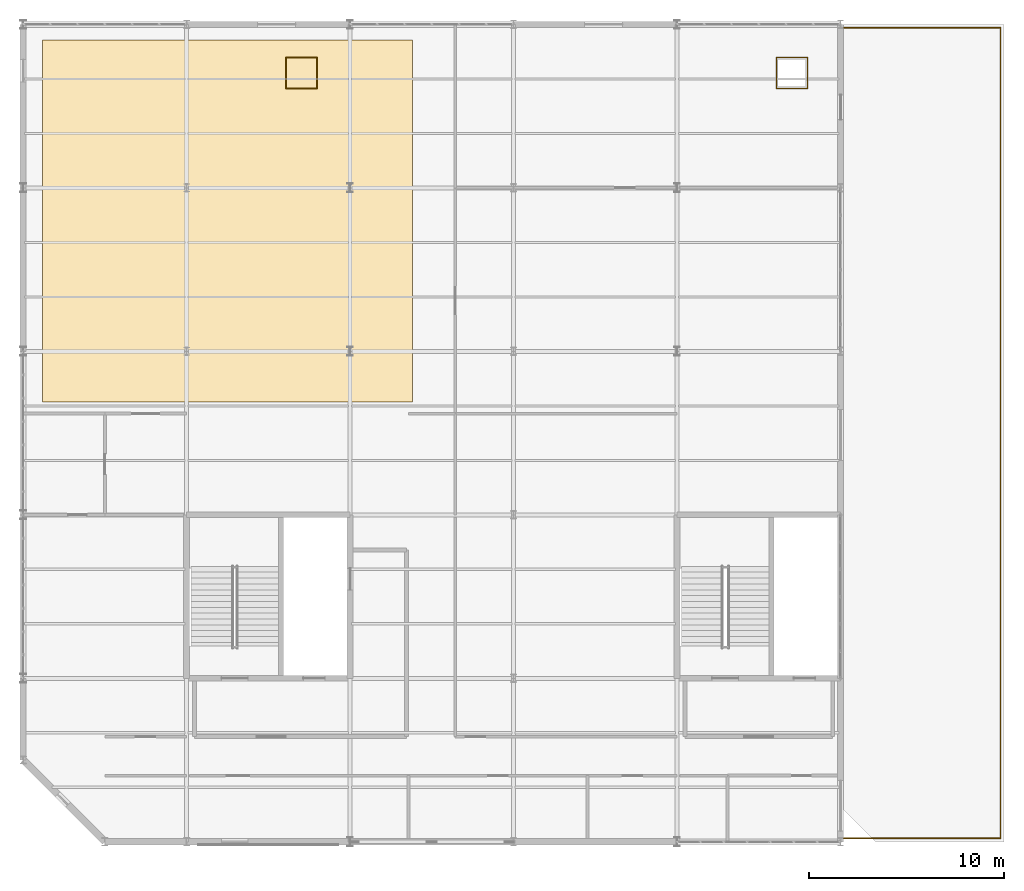
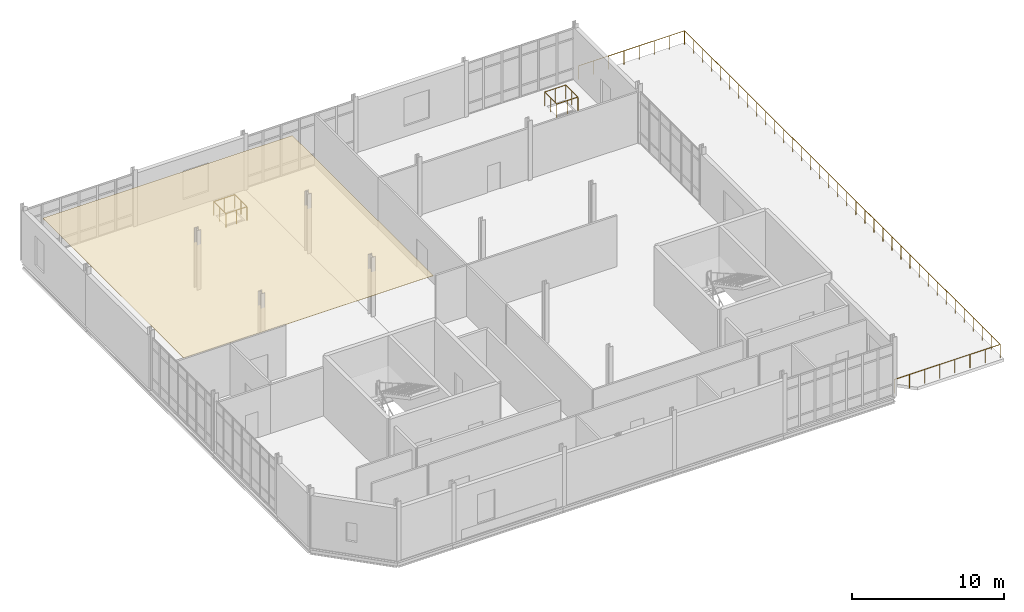
# One storey, part 28 of 28: 3 railings, 1 covering.
"""IFC4 building model written with IfcOpenShell, lengths in metres."""

import ifcopenshell
import ifcopenshell.guid

model = None  # the IFC model being written
_history = None  # IfcOwnerHistory: only IFC2X3 demands one
_inside = {}  # id of a spatial element -> (the spatial element, [elements in it])
_under = {}  # id of a project, library or spatial element -> (it, [spatial elements below it])
_declared = {}  # id of a project -> (the project, [libraries it declares])
_typed = {}  # id of a type object -> (the type object, [elements of that type])
_made_of = {}  # id of a material, layer set ... -> (it, [elements and type objects made of it])


def new_model(schema):
    """Start an empty IFC model of exactly this schema.

    Asked for "IFC4X3", IfcOpenShell would pick the latest addendum, in which some entities
    have other attributes; the version numbers below select the first issue.
    IFC2X3 requires an IfcOwnerHistory on every rooted entity: one is made here for all.
    """
    global model, _history
    if schema == "IFC4X3":
        model = ifcopenshell.file(schema_version=(4, 3, 0, 0))
    else:
        model = ifcopenshell.file(schema=schema)
    _inside.clear()
    _under.clear()
    _declared.clear()
    _typed.clear()
    _made_of.clear()
    _history = None
    if model.schema == "IFC2X3":
        org = make("IfcOrganization", Name="unknown")
        user = make(
            "IfcPersonAndOrganization",
            ThePerson=make("IfcPerson", FamilyName="unknown"),
            TheOrganization=org,
        )
        app = make(
            "IfcApplication",
            ApplicationDeveloper=org,
            Version="unknown",
            ApplicationFullName="unknown",
            ApplicationIdentifier="unknown",
        )
        _history = make(
            "IfcOwnerHistory",
            OwningUser=user,
            OwningApplication=app,
            ChangeAction="ADDED",
            CreationDate=0,
        )
    return model


def make(cls, **values):
    """One entity of the class cls with the attributes given. An attribute that is None is left unset."""
    return model.create_entity(
        cls, **{name: value for name, value in values.items() if value is not None}
    )


def rooted(cls, **values):
    """An entity with a GlobalId (a new one), such as an element, a storey or a relation."""
    return make(cls, GlobalId=ifcopenshell.guid.new(), OwnerHistory=_history, **values)


def si_unit(unit_type, name, prefix=None):
    """IfcSIUnit, for example si_unit("LENGTHUNIT", "METRE", prefix="MILLI")."""
    return make("IfcSIUnit", UnitType=unit_type, Prefix=prefix, Name=name)


def assignment(units):
    """IfcUnitAssignment: the units of a project."""
    return None if units is None else make("IfcUnitAssignment", Units=units)


def point(xyz):
    """IfcCartesianPoint."""
    return None if xyz is None else make("IfcCartesianPoint", Coordinates=xyz)


def direction(xyz):
    """IfcDirection."""
    return None if xyz is None else make("IfcDirection", DirectionRatios=xyz)


def frame(location, z_axis=None, x_axis=None):
    """IfcAxis2Placement3D, a coordinate frame: its origin and axes. An axis left out is left unset."""
    return make(
        "IfcAxis2Placement3D",
        Location=point(location),
        Axis=direction(z_axis),
        RefDirection=direction(x_axis),
    )


def frame_2d(location, x_axis=None):
    """IfcAxis2Placement2D, a coordinate frame in the plane: its origin and x axis."""
    return make(
        "IfcAxis2Placement2D", Location=point(location), RefDirection=direction(x_axis)
    )


def origin():
    """The frame at (0, 0, 0) with its axes left unset."""
    return frame((0.0, 0.0, 0.0))


def origin_2d():
    """The frame at (0, 0) in the plane with its x axis left unset."""
    return frame_2d((0.0, 0.0))


def place(relative_to, where):
    """IfcLocalPlacement: puts the frame where relative to a parent placement (None: the world)."""
    return make(
        "IfcLocalPlacement", PlacementRelTo=relative_to, RelativePlacement=where
    )


def context(
    kind, dimensions, precision=None, world=None, true_north=None, identifier=None
):
    """IfcGeometricRepresentationContext, for example the 3D "Model" context."""
    return make(
        "IfcGeometricRepresentationContext",
        ContextIdentifier=identifier,
        ContextType=kind,
        CoordinateSpaceDimension=dimensions,
        Precision=precision,
        WorldCoordinateSystem=world,
        TrueNorth=true_north,
    )


def subcontext(parent, identifier, kind, view, scale=None):
    """IfcGeometricRepresentationSubContext, for example "Body" below "Model"."""
    return make(
        "IfcGeometricRepresentationSubContext",
        ContextIdentifier=identifier,
        ContextType=kind,
        ParentContext=parent,
        TargetScale=scale,
        TargetView=view,
    )


def project(units=None, contexts=None):
    """IfcProject with its units and contexts."""
    return rooted(
        "IfcProject",
        Name="project",
        RepresentationContexts=contexts,
        UnitsInContext=assignment(units),
    )


def spatial(cls, under=None, at=None, **own):
    """A site, building, storey or space (cls), placed at a placement, below another one or the project."""
    s = rooted(cls, ObjectPlacement=at, **own)
    if under is not None:
        _under.setdefault(under.id(), (under, []))[1].append(s)
    return s


def polyline(points):
    """IfcPolyline through the points."""
    return make("IfcPolyline", Points=[point(p) for p in points])


def profile(cls, at=None, kind="AREA", **sizes):
    """A parametric profile (cls). Its sizes go by their IFC names, for example OverallWidth=200.0."""
    return make(cls, ProfileType=kind, Position=at, **sizes)


def circle(**sizes):
    """IfcCircleProfileDef."""
    return profile("IfcCircleProfileDef", **sizes)


def outline(outer, holes=None, kind="AREA"):
    """IfcArbitraryClosedProfileDef: a profile drawn as a closed curve; with holes, ...WithVoids."""
    if holes is None:
        return make("IfcArbitraryClosedProfileDef", ProfileType=kind, OuterCurve=outer)
    return make(
        "IfcArbitraryProfileDefWithVoids",
        ProfileType=kind,
        OuterCurve=outer,
        InnerCurves=holes,
    )


def extrude(swept, where, along, depth):
    """IfcExtrudedAreaSolid: the profile swept, set in the frame where, extruded along a direction by depth."""
    return make(
        "IfcExtrudedAreaSolid",
        SweptArea=swept,
        Position=where,
        ExtrudedDirection=direction(along),
        Depth=depth,
    )


def shape(context_of_items, identifier, shape_type, items):
    """IfcShapeRepresentation: the items that make up one representation, for example the "Body"."""
    return make(
        "IfcShapeRepresentation",
        ContextOfItems=context_of_items,
        RepresentationIdentifier=identifier,
        RepresentationType=shape_type,
        Items=items,
    )


def material(Name=None, Category=None):
    """IfcMaterial."""
    return make("IfcMaterial", Name=Name, Category=Category)


def layer(
    of_material, thickness, ventilated=None, Name=None, Category=None, Priority=None
):
    """IfcMaterialLayer: one layer of a wall or slab, of a material (None: an air gap)."""
    return make(
        "IfcMaterialLayer",
        Material=of_material,
        LayerThickness=thickness,
        IsVentilated=ventilated,
        Name=Name,
        Category=Category,
        Priority=Priority,
    )


def layer_set(layers, Name=None):
    """IfcMaterialLayerSet."""
    return make("IfcMaterialLayerSet", MaterialLayers=layers, LayerSetName=Name)


def made_of(thing, what):
    """Note that an element or type object is made of a material, layer set ...; save() writes the relation."""
    if what is not None:
        _made_of.setdefault(what.id(), (what, []))[1].append(thing)
    return thing


def type_object(cls, material=None, **own):
    """A type object (cls), such as IfcWallType, which elements share."""
    return made_of(rooted(cls, **own), material)


def element(
    cls,
    number,
    at=None,
    inside=None,
    cuts=None,
    type_object=None,
    material=None,
    context=None,
    identifier="Body",
    shape_type=None,
    held_by="IfcProductDefinitionShape",
    body=None,
    shapes=None,
    **own,
):
    """One element of the class cls, such as IfcWall. Its Tag is "e" and its number.

    at: its placement. inside: the storey or other place that contains it. cuts: it is an
    opening in that element (IfcRelVoidsElement). A single representation is given by context,
    identifier, shape_type and body (its items); several are given by shapes. held_by: the class
    of the entity that holds the representations. save() writes the other relations.
    """
    e = rooted(cls, Tag="e%d" % number, ObjectPlacement=at, **own)
    if body is not None:
        shapes = [shape(context, identifier, shape_type, body)]
    if shapes is not None:
        e.Representation = make(held_by, Representations=shapes)
    if inside is not None:
        _inside.setdefault(inside.id(), (inside, []))[1].append(e)
    if cuts is not None:
        rooted(
            "IfcRelVoidsElement", RelatingBuildingElement=cuts, RelatedOpeningElement=e
        )
    if type_object is not None:
        _typed.setdefault(type_object.id(), (type_object, []))[1].append(e)
    return made_of(e, material)


def aggregate(whole, parts):
    """IfcRelAggregates: a whole, such as a stair, and the parts it consists of."""
    return rooted("IfcRelAggregates", RelatingObject=whole, RelatedObjects=parts)


def save(model, path):
    """Write the relations noted so far, then the file.

    IfcRelAggregates (storeys below a building ...), IfcRelContainedInSpatialStructure (elements
    in a storey), IfcRelDefinesByType, IfcRelAssociatesMaterial and IfcRelDeclares: one each for
    every whole, place, type object, material and project.
    """
    for whole, parts in _under.values():
        aggregate(whole, parts)
    for where, things in _inside.values():
        rooted(
            "IfcRelContainedInSpatialStructure",
            RelatedElements=things,
            RelatingStructure=where,
        )
    for kind, things in _typed.values():
        rooted("IfcRelDefinesByType", RelatedObjects=things, RelatingType=kind)
    for what, things in _made_of.values():
        rooted("IfcRelAssociatesMaterial", RelatedObjects=things, RelatingMaterial=what)
    for by, libraries in _declared.values():
        rooted("IfcRelDeclares", RelatingContext=by, RelatedDefinitions=libraries)
    model.write(path)


model = new_model("IFC4")

# Units and contexts
model_context = context("Model", 3, precision=1e-05, world=origin(), true_north=direction((0.0, 1.0)))
body_context = subcontext(model_context, "Body", "Model", "MODEL_VIEW")
ifc_project = project(units=[si_unit("LENGTHUNIT", "METRE"), si_unit("AREAUNIT", "SQUARE_METRE"), si_unit("VOLUMEUNIT", "CUBIC_METRE"), si_unit("PLANEANGLEUNIT", "RADIAN"), si_unit("MASSUNIT", "GRAM", prefix="KILO")], contexts=[model_context])

# Site, building, storey
site_placement = place(None, origin())
site = spatial("IfcSite", under=ifc_project, at=site_placement, CompositionType="ELEMENT")
building_placement = place(site_placement, origin())
building = spatial("IfcBuilding", under=site, at=building_placement, Name="Qalvenar Corner Mobility Hub", CompositionType="ELEMENT")
storey_placement = place(building_placement, frame((0.0, 0.0, 21.60009765625)))
storey = spatial("IfcBuildingStorey", under=building, at=storey_placement, Name="L05", CompositionType="ELEMENT", Elevation=21.60009765625)

# Covering
ifc_material_1 = material(Name="Perforated Acoustic Mineral Ceiling Board", Category="concrete")
ifc_layer = layer(ifc_material_1, 0.02490234375)
ifc_layer_set = layer_set([ifc_layer], Name="Perforated Acoustic Mineral Ceiling Board")
covering_type = type_object("IfcCoveringType", Name="COV-CEIL-AC", PredefinedType="CEILING", material=ifc_layer_set)
covering_placement = place(storey_placement, frame((0.0, 0.0, 3.599853515625)))
element("IfcCovering", 1, at=covering_placement, inside=storey, type_object=covering_type, Name="Driver Welfare Acoustic Ceiling", PredefinedType="CEILING", context=body_context, shape_type="SweptSolid", body=[
    extrude(outline(polyline([(1.0, 22.60009765625), (20.0, 22.60009765625), (20.0, 41.199951171875), (1.0, 41.199951171875), (1.0, 22.60009765625)])), origin(), (0.0, 0.0, 1.0), 0.025146484375),
])

# Railings
ifc_material_2 = material(Name="Art Nouveau Bronze-Finished Steel Balustrade", Category="steel")
railing_type_1 = type_object("IfcRailingType", Name="RL-GUARD-110", PredefinedType="GUARDRAIL", material=ifc_material_2)
railing_placement = place(storey_placement, frame((42.14990234375, 0.179931640625, 0.0)))
element("IfcRailing", 2, at=railing_placement, inside=storey, type_object=railing_type_1, Name="Terrace Perimeter Guardrail TER-V3-L05", PredefinedType="GUARDRAIL", context=body_context, shape_type="SweptSolid", body=[
    extrude(circle(Radius=0.02392578125, at=origin_2d()), frame((0.0, 0.0, 1.09619140625), z_axis=(1.0, 0.0, 0.0), x_axis=(0.0, 1.0, 0.0)), (0.0, 0.0, 1.0), 8.070068359375),
    extrude(circle(Radius=0.02392578125, at=origin_2d()), frame((8.070068359375, 0.0, 1.09619140625), z_axis=(0.0, 1.0, 0.0), x_axis=(-1.0, 0.0, 0.0)), (0.0, 0.0, 1.0), 41.64013671875),
    extrude(circle(Radius=0.02392578125, at=origin_2d()), frame((8.070068359375, 41.64013671875, 1.09619140625), z_axis=(-1.0, 0.0, 0.0), x_axis=(0.0, -1.0, 0.0)), (0.0, 0.0, 1.0), 8.070068359375),
    extrude(circle(Radius=0.02099609375, at=origin_2d()), origin(), (0.0, 0.0, 1.0), 1.072021484375),
    extrude(circle(Radius=0.02099609375, at=origin_2d()), frame((1.15283203125, 0.0, 0.0)), (0.0, 0.0, 1.0), 1.072021484375),
    extrude(circle(Radius=0.02099609375, at=origin_2d()), frame((2.3056640625, 0.0, 0.0)), (0.0, 0.0, 1.0), 1.072021484375),
    extrude(circle(Radius=0.02099609375, at=origin_2d()), frame((3.45849609375, 0.0, 0.0)), (0.0, 0.0, 1.0), 1.072021484375),
    extrude(circle(Radius=0.02099609375, at=origin_2d()), frame((4.611572265625, 0.0, 0.0)), (0.0, 0.0, 1.0), 1.072021484375),
    extrude(circle(Radius=0.02099609375, at=origin_2d()), frame((5.764404296875, 0.0, 0.0)), (0.0, 0.0, 1.0), 1.072021484375),
    extrude(circle(Radius=0.02099609375, at=origin_2d()), frame((6.917236328125, 0.0, 0.0)), (0.0, 0.0, 1.0), 1.072021484375),
    extrude(circle(Radius=0.02099609375, at=origin_2d()), frame((8.070068359375, 0.0, 0.0)), (0.0, 0.0, 1.0), 1.072021484375),
    extrude(circle(Radius=0.02099609375, at=origin_2d()), frame((8.070068359375, 1.189697265625, 0.0)), (0.0, 0.0, 1.0), 1.072021484375),
    extrude(circle(Radius=0.02099609375, at=origin_2d()), frame((8.070068359375, 2.37939453125, 0.0)), (0.0, 0.0, 1.0), 1.072021484375),
    extrude(circle(Radius=0.02099609375, at=origin_2d()), frame((8.070068359375, 3.569091796875, 0.0)), (0.0, 0.0, 1.0), 1.072021484375),
    extrude(circle(Radius=0.02099609375, at=origin_2d()), frame((8.070068359375, 4.7587890625, 0.0)), (0.0, 0.0, 1.0), 1.072021484375),
    extrude(circle(Radius=0.02099609375, at=origin_2d()), frame((8.070068359375, 5.948486328125, 0.0)), (0.0, 0.0, 1.0), 1.072021484375),
    extrude(circle(Radius=0.02099609375, at=origin_2d()), frame((8.070068359375, 7.138427734375, 0.0)), (0.0, 0.0, 1.0), 1.072021484375),
    extrude(circle(Radius=0.02099609375, at=origin_2d()), frame((8.070068359375, 8.328125, 0.0)), (0.0, 0.0, 1.0), 1.072021484375),
    extrude(circle(Radius=0.02099609375, at=origin_2d()), frame((8.070068359375, 9.517822265625, 0.0)), (0.0, 0.0, 1.0), 1.072021484375),
    extrude(circle(Radius=0.02099609375, at=origin_2d()), frame((8.070068359375, 10.70751953125, 0.0)), (0.0, 0.0, 1.0), 1.072021484375),
    extrude(circle(Radius=0.02099609375, at=origin_2d()), frame((8.070068359375, 11.897216796875, 0.0)), (0.0, 0.0, 1.0), 1.072021484375),
    extrude(circle(Radius=0.02099609375, at=origin_2d()), frame((8.070068359375, 13.0869140625, 0.0)), (0.0, 0.0, 1.0), 1.072021484375),
    extrude(circle(Radius=0.02099609375, at=origin_2d()), frame((8.070068359375, 14.276611328125, 0.0)), (0.0, 0.0, 1.0), 1.072021484375),
    extrude(circle(Radius=0.02099609375, at=origin_2d()), frame((8.070068359375, 15.46630859375, 0.0)), (0.0, 0.0, 1.0), 1.072021484375),
    extrude(circle(Radius=0.02099609375, at=origin_2d()), frame((8.070068359375, 16.656005859375, 0.0)), (0.0, 0.0, 1.0), 1.072021484375),
    extrude(circle(Radius=0.02099609375, at=origin_2d()), frame((8.070068359375, 17.845703125, 0.0)), (0.0, 0.0, 1.0), 1.072021484375),
    extrude(circle(Radius=0.02099609375, at=origin_2d()), frame((8.070068359375, 19.035400390625, 0.0)), (0.0, 0.0, 1.0), 1.072021484375),
    extrude(circle(Radius=0.02099609375, at=origin_2d()), frame((8.070068359375, 20.22509765625, 0.0)), (0.0, 0.0, 1.0), 1.072021484375),
    extrude(circle(Radius=0.02099609375, at=origin_2d()), frame((8.070068359375, 21.4150390625, 0.0)), (0.0, 0.0, 1.0), 1.072021484375),
    extrude(circle(Radius=0.02099609375, at=origin_2d()), frame((8.070068359375, 22.604736328125, 0.0)), (0.0, 0.0, 1.0), 1.072021484375),
    extrude(circle(Radius=0.02099609375, at=origin_2d()), frame((8.070068359375, 23.79443359375, 0.0)), (0.0, 0.0, 1.0), 1.072021484375),
    extrude(circle(Radius=0.02099609375, at=origin_2d()), frame((8.070068359375, 24.984130859375, 0.0)), (0.0, 0.0, 1.0), 1.072021484375),
    extrude(circle(Radius=0.02099609375, at=origin_2d()), frame((8.070068359375, 26.173828125, 0.0)), (0.0, 0.0, 1.0), 1.072021484375),
    extrude(circle(Radius=0.02099609375, at=origin_2d()), frame((8.070068359375, 27.363525390625, 0.0)), (0.0, 0.0, 1.0), 1.072021484375),
    extrude(circle(Radius=0.02099609375, at=origin_2d()), frame((8.070068359375, 28.55322265625, 0.0)), (0.0, 0.0, 1.0), 1.072021484375),
    extrude(circle(Radius=0.02099609375, at=origin_2d()), frame((8.070068359375, 29.742919921875, 0.0)), (0.0, 0.0, 1.0), 1.072021484375),
    extrude(circle(Radius=0.02099609375, at=origin_2d()), frame((8.070068359375, 30.9326171875, 0.0)), (0.0, 0.0, 1.0), 1.072021484375),
    extrude(circle(Radius=0.02099609375, at=origin_2d()), frame((8.070068359375, 32.122314453125, 0.0)), (0.0, 0.0, 1.0), 1.072021484375),
    extrude(circle(Radius=0.02099609375, at=origin_2d()), frame((8.070068359375, 33.31201171875, 0.0)), (0.0, 0.0, 1.0), 1.072021484375),
    extrude(circle(Radius=0.02099609375, at=origin_2d()), frame((8.070068359375, 34.501708984375, 0.0)), (0.0, 0.0, 1.0), 1.072021484375),
    extrude(circle(Radius=0.02099609375, at=origin_2d()), frame((8.070068359375, 35.691650390625, 0.0)), (0.0, 0.0, 1.0), 1.072021484375),
    extrude(circle(Radius=0.02099609375, at=origin_2d()), frame((8.070068359375, 36.88134765625, 0.0)), (0.0, 0.0, 1.0), 1.072021484375),
    extrude(circle(Radius=0.02099609375, at=origin_2d()), frame((8.070068359375, 38.071044921875, 0.0)), (0.0, 0.0, 1.0), 1.072021484375),
    extrude(circle(Radius=0.02099609375, at=origin_2d()), frame((8.070068359375, 39.2607421875, 0.0)), (0.0, 0.0, 1.0), 1.072021484375),
    extrude(circle(Radius=0.02099609375, at=origin_2d()), frame((8.070068359375, 40.450439453125, 0.0)), (0.0, 0.0, 1.0), 1.072021484375),
    extrude(circle(Radius=0.02099609375, at=origin_2d()), frame((8.070068359375, 41.64013671875, 0.0)), (0.0, 0.0, 1.0), 1.072021484375),
    extrude(circle(Radius=0.02099609375, at=origin_2d()), frame((6.917236328125, 41.64013671875, 0.0)), (0.0, 0.0, 1.0), 1.072021484375),
    extrude(circle(Radius=0.02099609375, at=origin_2d()), frame((5.764404296875, 41.64013671875, 0.0)), (0.0, 0.0, 1.0), 1.072021484375),
    extrude(circle(Radius=0.02099609375, at=origin_2d()), frame((4.611572265625, 41.64013671875, 0.0)), (0.0, 0.0, 1.0), 1.072021484375),
    extrude(circle(Radius=0.02099609375, at=origin_2d()), frame((3.45849609375, 41.64013671875, 0.0)), (0.0, 0.0, 1.0), 1.072021484375),
    extrude(circle(Radius=0.02099609375, at=origin_2d()), frame((2.3056640625, 41.64013671875, 0.0)), (0.0, 0.0, 1.0), 1.072021484375),
    extrude(circle(Radius=0.02099609375, at=origin_2d()), frame((1.15283203125, 41.64013671875, 0.0)), (0.0, 0.0, 1.0), 1.072021484375),
    extrude(circle(Radius=0.02099609375, at=origin_2d()), frame((0.0, 41.64013671875, 0.0)), (0.0, 0.0, 1.0), 1.072021484375),
])
ifc_material_3 = material(Name="Galvanised Steel Deck Edge Barrier", Category="steel")
railing_type_2 = type_object("IfcRailingType", Name="RL-GUARD-115", PredefinedType="GUARDRAIL", material=ifc_material_3)
for number, where, name in (
    (3, (13.5, 38.699951171875, 0.0), "Riser Opening Guard V3-A-L05"),
    (4, (38.699951171875, 38.699951171875, 0.0), "Riser Opening Guard V3-B-L05"),
):
    element("IfcRailing", number, at=place(storey_placement, frame(where)), inside=storey, type_object=railing_type_2, Name=name, PredefinedType="GUARDRAIL", context=body_context, shape_type="SweptSolid", body=[
        extrude(circle(Radius=0.02392578125, at=origin_2d()), frame((0.0, 0.0, 1.1259765625), z_axis=(1.0, 0.0, 0.0), x_axis=(0.0, 1.0, 0.0)), (0.0, 0.0, 1.0), 1.60009765625),
        extrude(circle(Radius=0.02392578125, at=origin_2d()), frame((1.60009765625, 0.0, 1.1259765625), z_axis=(0.0, 1.0, 0.0), x_axis=(-1.0, 0.0, 0.0)), (0.0, 0.0, 1.0), 1.60009765625),
        extrude(circle(Radius=0.02392578125, at=origin_2d()), frame((1.60009765625, 1.60009765625, 1.1259765625), z_axis=(-1.0, 0.0, 0.0), x_axis=(0.0, -1.0, 0.0)), (0.0, 0.0, 1.0), 1.60009765625),
        extrude(circle(Radius=0.02392578125, at=origin_2d()), frame((0.0, 1.60009765625, 1.1259765625), z_axis=(0.0, -1.0, 0.0), x_axis=(1.0, 0.0, 0.0)), (0.0, 0.0, 1.0), 1.60009765625),
        extrude(circle(Radius=0.02099609375, at=origin_2d()), origin(), (0.0, 0.0, 1.0), 1.101806640625),
        extrude(circle(Radius=0.02099609375, at=origin_2d()), frame((0.800048828125, 0.0, 0.0)), (0.0, 0.0, 1.0), 1.101806640625),
        extrude(circle(Radius=0.02099609375, at=origin_2d()), frame((1.60009765625, 0.0, 0.0)), (0.0, 0.0, 1.0), 1.101806640625),
        extrude(circle(Radius=0.02099609375, at=origin_2d()), frame((1.60009765625, 0.800048828125, 0.0)), (0.0, 0.0, 1.0), 1.101806640625),
        extrude(circle(Radius=0.02099609375, at=origin_2d()), frame((1.60009765625, 1.60009765625, 0.0)), (0.0, 0.0, 1.0), 1.101806640625),
        extrude(circle(Radius=0.02099609375, at=origin_2d()), frame((0.800048828125, 1.60009765625, 0.0)), (0.0, 0.0, 1.0), 1.101806640625),
        extrude(circle(Radius=0.02099609375, at=origin_2d()), frame((0.0, 1.60009765625, 0.0)), (0.0, 0.0, 1.0), 1.101806640625),
        extrude(circle(Radius=0.02099609375, at=origin_2d()), frame((0.0, 0.800048828125, 0.0)), (0.0, 0.0, 1.0), 1.101806640625),
    ])

save(model, "model.ifc")
